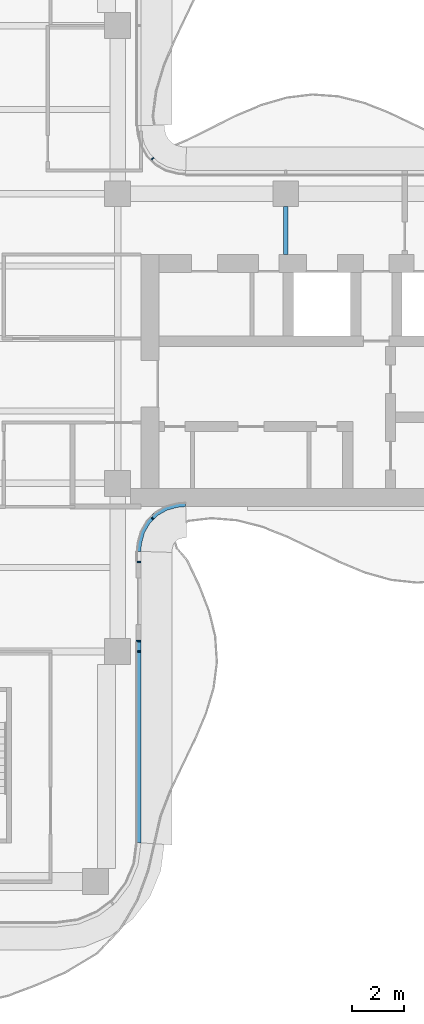
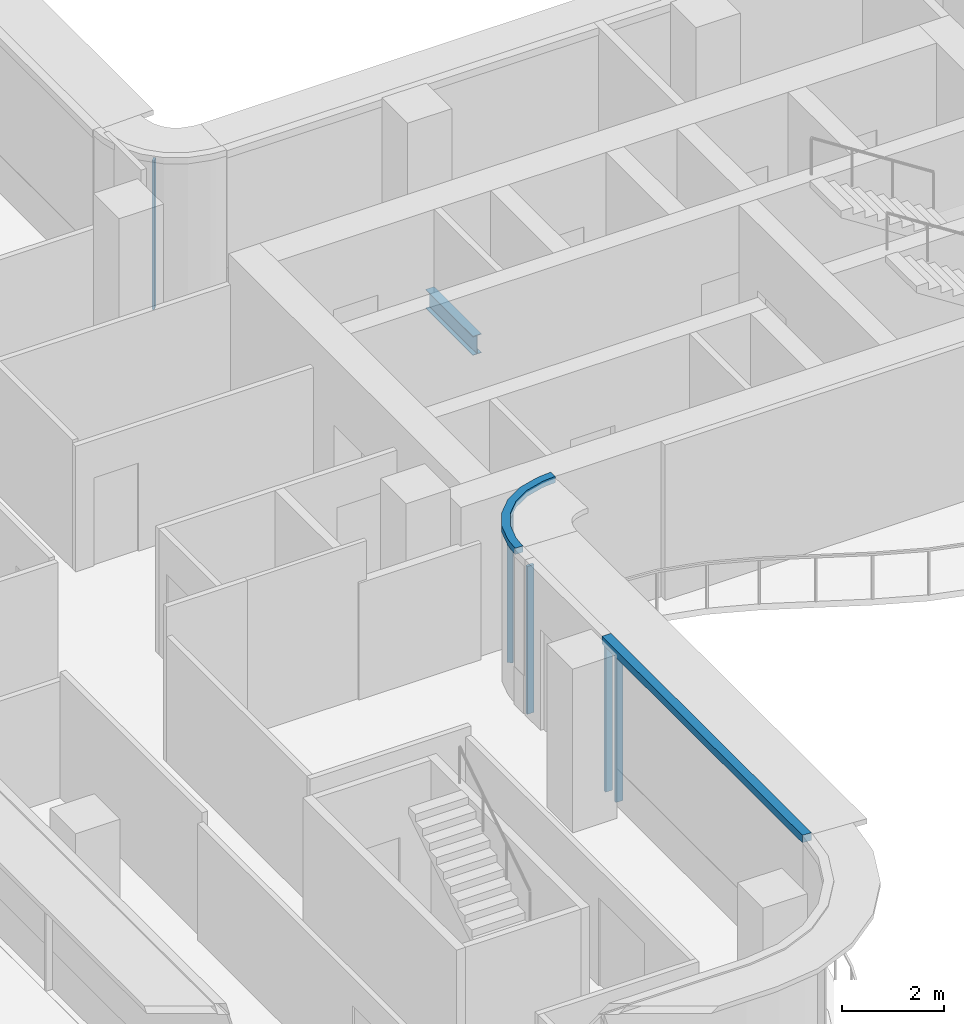
# One storey, part 5 of 16: 7 members, 1 beam, 4 elements without a shape of their own.
"""IFC4 building model written with IfcOpenShell, lengths in metres."""

from ifc_helpers import new_model, si_unit, direction, frame, origin, origin_2d, place, context, subcontext, project, spatial, polyline, rectangle, i_section, outline, extrude, source, transform, mapped, material, layer, layer_set, material_profile, profile_set, type_object, element, aggregate, save


model = new_model("IFC4")

# Units and contexts
model_context = context("Model", 3, precision=1e-05, world=origin(), true_north=direction((0.0, 1.0)))
body_context = subcontext(model_context, "Body", "Model", "MODEL_VIEW")
ifc_project = project(units=[si_unit("LENGTHUNIT", "METRE"), si_unit("AREAUNIT", "SQUARE_METRE"), si_unit("VOLUMEUNIT", "CUBIC_METRE"), si_unit("PLANEANGLEUNIT", "RADIAN"), si_unit("MASSUNIT", "GRAM", prefix="KILO")], contexts=[model_context])

# Site, building, storey
site_placement = place(None, origin())
site = spatial("IfcSite", under=ifc_project, at=site_placement, CompositionType="ELEMENT")
building_placement = place(site_placement, origin())
building = spatial("IfcBuilding", under=site, at=building_placement, Name="Trellis Farm Tower", CompositionType="ELEMENT")
storey_placement = place(building_placement, frame((0.0, 0.0, 314.5)))
storey = spatial("IfcBuildingStorey", under=building, at=storey_placement, Name="L71", CompositionType="ELEMENT", Elevation=314.5)

# Beam
ifc_material_1 = material(Name="Steel S355", Category="steel")
ifc_material_profile_1 = material_profile(ifc_material_1, i_section(OverallWidth=0.1904296875, OverallDepth=0.45703125, WebThickness=0.009033203125, FlangeThickness=0.014404296875, FilletRadius=0.01025390625, at=origin_2d()), Name="UB 457x191x74")
ifc_profile_set_1 = profile_set([ifc_material_profile_1], Name="Steel S355")
beam_type = type_object("IfcBeamType", Name="UB 457x191x74", PredefinedType="BEAM", material=ifc_profile_set_1)
shared_shape_1 = source(origin(), body_context, "Body", "SweptSolid", [
    extrude(i_section(OverallWidth=0.1904296875, OverallDepth=0.45703125, WebThickness=0.009033203125, FlangeThickness=0.014404296875, FilletRadius=0.01025390625, at=origin_2d()), origin(), (0.0, 0.0, 1.0), 1.85009765625),
])
beam_placement = place(storey_placement, frame((12.10009765625, 3.25, -0.428466796875), z_axis=(0.0, 1.0, 0.0), x_axis=(-1.0, 0.0, 0.0)))
element("IfcBeam", 1, at=beam_placement, inside=storey, type_object=beam_type, Name="Girder", PredefinedType="BEAM", context=body_context, shape_type="MappedRepresentation", body=[
    mapped(shared_shape_1, transform((0.0, 0.0, 0.0))),
])

# Curtain wall, member
ifc_material_2 = material(Name="Aluminium and glass curtain wall", Category="aluminium")
ifc_layer_1 = layer(ifc_material_2, 0.166015625)
ifc_layer_set_1 = layer_set([ifc_layer_1], Name="WINTER GARDEN CURTAIN WALL CW3")
curtain_wall_type_1 = type_object("IfcCurtainWallType", Name="WINTER GARDEN CURTAIN WALL CW3", PredefinedType="NOTDEFINED", material=ifc_layer_set_1)
placement = place(storey_placement, origin())
curtain_wall_1 = element("IfcCurtainWall", 2, at=placement, inside=storey, type_object=curtain_wall_type_1, Name="CW3 002", PredefinedType="NOTDEFINED")
ifc_material_3 = material(Name="Aluminium extrusion 6063-T6", Category="aluminium")
ifc_layer_2 = layer(ifc_material_3, 0.169921875)
ifc_layer_set_2 = layer_set([ifc_layer_2], Name="Aluminium extrusion 6063-T6")
member_type_1 = type_object("IfcMemberType", Name="CW3 TRANSOM 170x150", PredefinedType="USERDEFINED", material=ifc_layer_set_2)
shared_shape_2 = source(origin(), body_context, "Body", "SweptSolid", [
    extrude(outline(polyline([(6.5, -8.2314453125), (6.513916015625, -8.01953125), (6.527587890625, -7.91552734375), (6.63671875, -7.508544921875), (6.846923828125, -7.144287109375), (7.144287109375, -6.846923828125), (7.508544921875, -6.63671875), (7.91552734375, -6.527587890625), (8.01953125, -6.513916015625), (8.2314453125, -6.5), (8.225830078125, -6.330078125), (8.0029296875, -6.3447265625), (7.88232421875, -6.360595703125), (7.44287109375, -6.478271484375), (7.0400390625, -6.7109375), (6.7109375, -7.0400390625), (6.478271484375, -7.44287109375), (6.360595703125, -7.88232421875), (6.3447265625, -8.0029296875), (6.330078125, -8.225830078125), (6.5, -8.2314453125)])), origin(), (0.0, 0.0, 1.0), 0.14990234375),
])
member_1_placement = place(storey_placement, frame((0.0, 0.0, 3.550048828125)))
member_1 = element("IfcMember", 3, at=member_1_placement, type_object=member_type_1, Name="TR3 002", ObjectType="TRANSOM", PredefinedType="USERDEFINED", context=body_context, shape_type="MappedRepresentation", body=[
    mapped(shared_shape_2, transform((0.0, 0.0, 0.0))),
])

# Curtain wall, members
ifc_layer_3 = layer(ifc_material_2, 0.18994140625)
ifc_layer_set_3 = layer_set([ifc_layer_3], Name="RIBBON CURTAIN WALL CW1")
curtain_wall_type_2 = type_object("IfcCurtainWallType", Name="RIBBON CURTAIN WALL CW1", PredefinedType="NOTDEFINED", material=ifc_layer_set_3)
curtain_wall_2 = element("IfcCurtainWall", 4, at=placement, inside=storey, type_object=curtain_wall_type_2, Name="CW1 004", PredefinedType="NOTDEFINED")
ifc_material_profile_2 = material_profile(ifc_material_3, rectangle(XDim=0.06005859375, YDim=0.14990234375, at=origin_2d()), Name="MULLION 60x150")
ifc_profile_set_2 = profile_set([ifc_material_profile_2], Name="Aluminium extrusion 6063-T6")
member_type_2 = type_object("IfcMemberType", Name="CW1 MULLION 60x150", PredefinedType="MULLION", material=ifc_profile_set_2)
shared_shape_3 = source(origin(), body_context, "Body", "SweptSolid", [
    extrude(rectangle(XDim=0.06005859375, YDim=0.14990234375, at=origin_2d()), origin(), (0.0, 0.0, 1.0), 3.52001953125),
])
member_2_placement = place(storey_placement, frame((6.425048828125, -12.10009765625, 0.0), z_axis=(0.0, 0.0, 1.0), x_axis=(0.0, 1.0, 0.0)))
member_2 = element("IfcMember", 5, at=member_2_placement, type_object=member_type_2, Name="MU1 004-01", PredefinedType="MULLION", context=body_context, shape_type="MappedRepresentation", body=[
    mapped(shared_shape_3, transform((0.0, 0.0, 0.0))),
])
member_3_placement = place(storey_placement, frame((6.425048828125, -11.69580078125, 0.0), z_axis=(0.0, 0.0, 1.0), x_axis=(0.0, 1.0, 0.0)))
member_3 = element("IfcMember", 6, at=member_3_placement, type_object=member_type_2, Name="MU1 004-02", PredefinedType="MULLION", context=body_context, shape_type="MappedRepresentation", body=[
    mapped(shared_shape_3, transform((0.0, 0.0, 0.0))),
])

# Curtain wall, member
curtain_wall_3 = element("IfcCurtainWall", 7, at=placement, inside=storey, type_object=curtain_wall_type_2, Name="CW1 005", PredefinedType="NOTDEFINED")
member_4_placement = place(storey_placement, frame((6.425048828125, -8.6357421875, 0.0), z_axis=(0.0, 0.0, 1.0), x_axis=(0.0, 1.0, 0.0)))
member_4 = element("IfcMember", 8, at=member_4_placement, type_object=member_type_2, Name="MU1 005-01", PredefinedType="MULLION", context=body_context, shape_type="MappedRepresentation", body=[
    mapped(shared_shape_3, transform((0.0, 0.0, 0.0))),
])
aggregate(curtain_wall_3, [member_4])

# Member
ifc_material_profile_3 = material_profile(ifc_material_3, rectangle(XDim=0.050048828125, YDim=0.1201171875, at=origin_2d()), Name="MULLION 50x120")
ifc_profile_set_3 = profile_set([ifc_material_profile_3], Name="Aluminium extrusion 6063-T6")
member_type_3 = type_object("IfcMemberType", Name="CW3 MULLION 50x120", PredefinedType="MULLION", material=ifc_profile_set_3)
shared_shape_4 = source(origin(), body_context, "Body", "SweptSolid", [
    extrude(rectangle(XDim=0.050048828125, YDim=0.1201171875, at=origin_2d()), origin(), (0.0, 0.0, 1.0), 3.550048828125),
])
member_5_placement = place(storey_placement, frame((6.953125, -6.953125, 0.0), z_axis=(0.0, 0.0, 1.0), x_axis=(0.707106781187, 0.707106781187, 0.0)))
member_5 = element("IfcMember", 9, at=member_5_placement, type_object=member_type_3, Name="MU3 002-01", PredefinedType="MULLION", context=body_context, shape_type="MappedRepresentation", body=[
    mapped(shared_shape_4, transform((0.0, 0.0, 0.0))),
])

aggregate(curtain_wall_1, [member_5, member_1])

# Curtain wall, member
curtain_wall_4 = element("IfcCurtainWall", 10, at=placement, inside=storey, type_object=curtain_wall_type_1, Name="CW3 003", PredefinedType="NOTDEFINED")
member_6_placement = place(storey_placement, frame((6.953125, 6.953125, 0.0), z_axis=(0.0, 0.0, 1.0), x_axis=(-0.707106781187, 0.707106781187, 0.0)))
member_6 = element("IfcMember", 11, at=member_6_placement, type_object=member_type_3, Name="MU3 003-01", PredefinedType="MULLION", context=body_context, shape_type="MappedRepresentation", body=[
    mapped(shared_shape_4, transform((0.0, 0.0, 0.0))),
])
aggregate(curtain_wall_4, [member_6])

# Member
ifc_layer_4 = layer(ifc_material_3, 0.199951171875)
ifc_layer_set_4 = layer_set([ifc_layer_4], Name="Aluminium extrusion 6063-T6")
member_type_4 = type_object("IfcMemberType", Name="CW1 TRANSOM 200x180", PredefinedType="USERDEFINED", material=ifc_layer_set_4)
shared_shape_5 = source(origin(), body_context, "Body", "SweptSolid", [
    extrude(outline(polyline([(6.5, -19.5), (6.5, -11.665771484375), (6.300048828125, -11.665771484375), (6.300048828125, -19.48681640625), (6.5, -19.5)])), origin(), (0.0, 0.0, 1.0), 0.179931640625),
])
member_7_placement = place(storey_placement, frame((0.0, 0.0, 3.52001953125)))
member_7 = element("IfcMember", 12, at=member_7_placement, type_object=member_type_4, Name="TR1 004", ObjectType="TRANSOM", PredefinedType="USERDEFINED", context=body_context, shape_type="MappedRepresentation", body=[
    mapped(shared_shape_5, transform((0.0, 0.0, 0.0))),
])

aggregate(curtain_wall_2, [member_2, member_3, member_7])

save(model, "model.ifc")
